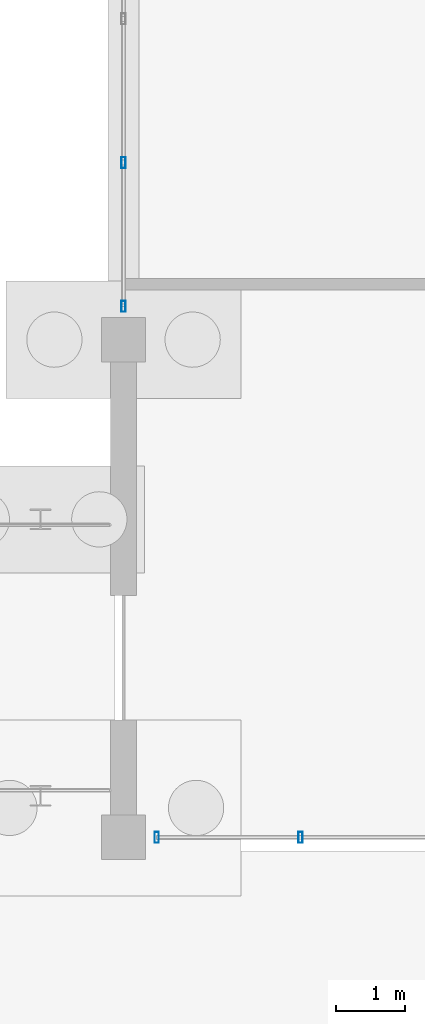
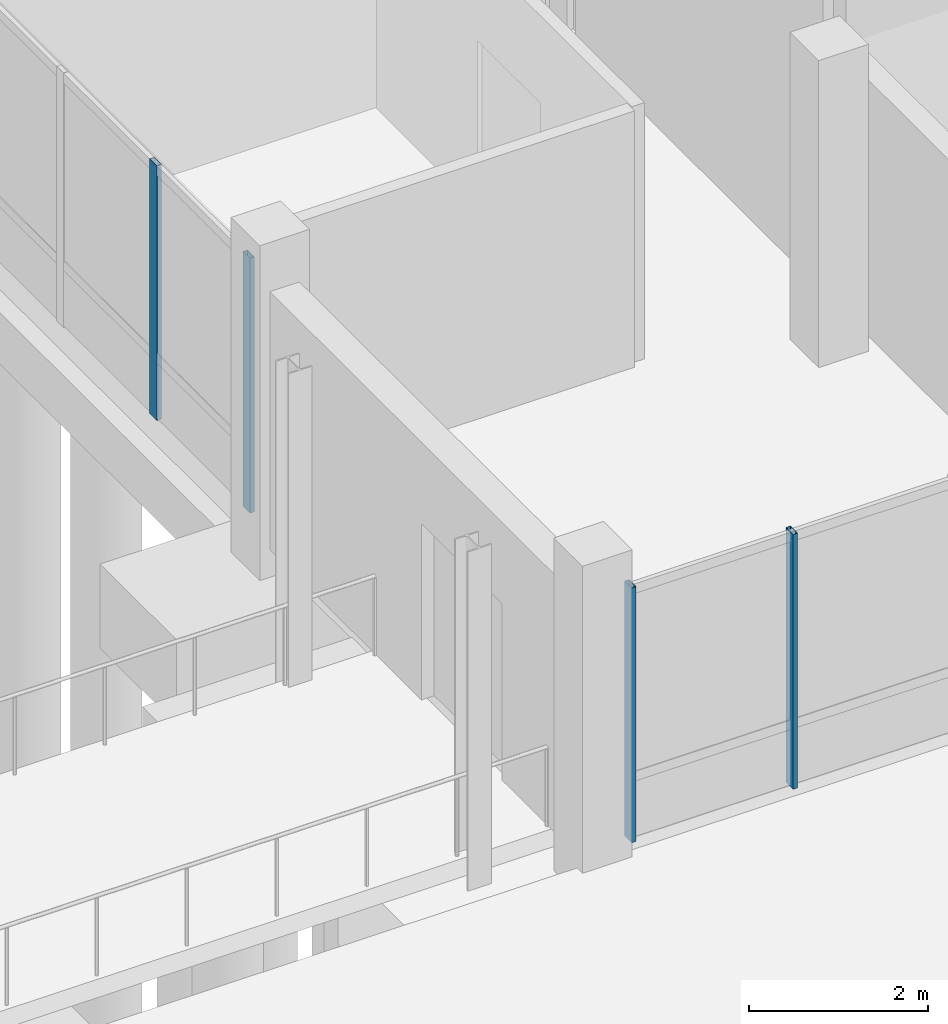
# One storey, part 50 of 98: 4 members, 2 elements without a shape of their own.
"""IFC4 building model written with IfcOpenShell, lengths in metres."""

from ifc_helpers import new_model, si_unit, direction, frame, origin, origin_2d, place, context, subcontext, project, spatial, hollow_rectangle, extrude, material, material_profile, profile_set, type_object, element, aggregate, save


model = new_model("IFC4")

# Units and contexts
model_context = context("Model", 3, precision=1e-05, world=origin(), true_north=direction((0.0, 1.0)))
body_context = subcontext(model_context, "Body", "Model", "MODEL_VIEW")
ifc_project = project(units=[si_unit("LENGTHUNIT", "METRE"), si_unit("AREAUNIT", "SQUARE_METRE"), si_unit("VOLUMEUNIT", "CUBIC_METRE"), si_unit("PLANEANGLEUNIT", "RADIAN"), si_unit("MASSUNIT", "GRAM", prefix="KILO")], contexts=[model_context])

# Site, building, storey
site_placement = place(None, origin())
site = spatial("IfcSite", under=ifc_project, at=site_placement, CompositionType="ELEMENT")
building_placement = place(site_placement, origin())
building = spatial("IfcBuilding", under=site, at=building_placement, Name="Zornivar Specialist Clinic", CompositionType="ELEMENT")
storey_placement = place(building_placement, origin())
storey = spatial("IfcBuildingStorey", under=building, at=storey_placement, Name="L00", CompositionType="ELEMENT", Elevation=0.0)

# Curtain wall, members
ifc_material_1 = material(Name="Aluminium and Low-E Glass Curtain Wall", Category="aluminium")
curtain_wall_type = type_object("IfcCurtainWallType", Name="CW-LAB-NORTH", PredefinedType="NOTDEFINED", material=ifc_material_1)
curtain_wall_1_placement = place(storey_placement, origin())
curtain_wall_1 = element("IfcCurtainWall", 1, at=curtain_wall_1_placement, inside=storey, type_object=curtain_wall_type, Name="cw:V6:L00:00", PredefinedType="NOTDEFINED")
ifc_material_2 = material(Name="Aluminium AW-6060", Category="aluminium")
ifc_material_profile = material_profile(ifc_material_2, hollow_rectangle(XDim=0.06005859375, YDim=0.159912109375, WallThickness=0.00390625, at=origin_2d()), Name="ALU 60x160x4")
ifc_profile_set = profile_set([ifc_material_profile], Name="Aluminium AW-6060")
member_type = type_object("IfcMemberType", Name="CWM-MUL-160", PredefinedType="MULLION", material=ifc_profile_set)
member_1_placement = place(storey_placement, frame((137.280029296875, 64.800048828125, 0.0), z_axis=(0.0, 0.0, 1.0), x_axis=(1.0, 0.0, 0.0)))
member_1 = element("IfcMember", 2, at=member_1_placement, type_object=member_type, Name="cw:V6:L00:00:mul:0", PredefinedType="MULLION", context=body_context, shape_type="SweptSolid", body=[
    extrude(hollow_rectangle(XDim=0.06005859375, YDim=0.159912109375, WallThickness=0.00390625, at=origin_2d()), origin(), (0.0, 0.0, 1.0), 3.469970703125),
])
member_2_placement = place(storey_placement, frame((139.360107421875, 64.800048828125, 0.0), z_axis=(0.0, 0.0, 1.0), x_axis=(1.0, 0.0, 0.0)))
member_2 = element("IfcMember", 3, at=member_2_placement, type_object=member_type, Name="cw:V6:L00:00:mul:1", PredefinedType="MULLION", context=body_context, shape_type="SweptSolid", body=[
    extrude(hollow_rectangle(XDim=0.06005859375, YDim=0.159912109375, WallThickness=0.00390625, at=origin_2d()), origin(), (0.0, 0.0, 1.0), 3.469970703125),
])
aggregate(curtain_wall_1, [member_1, member_2])

curtain_wall_2_placement = place(storey_placement, origin())
curtain_wall_2 = element("IfcCurtainWall", 4, at=curtain_wall_2_placement, inside=storey, type_object=curtain_wall_type, Name="cw:V6:L00:20", PredefinedType="NOTDEFINED")
member_3_placement = place(storey_placement, frame((136.800048828125, 74.56005859375, 0.0), z_axis=(0.0, 0.0, 1.0), x_axis=(1.0, 0.0, 0.0)))
member_3 = element("IfcMember", 5, at=member_3_placement, type_object=member_type, Name="cw:V6:L00:20:mul:2", PredefinedType="MULLION", context=body_context, shape_type="SweptSolid", body=[
    extrude(hollow_rectangle(XDim=0.06005859375, YDim=0.159912109375, WallThickness=0.00390625, at=origin_2d()), origin(), (0.0, 0.0, 1.0), 3.469970703125),
])
member_4_placement = place(storey_placement, frame((136.800048828125, 72.47998046875, 0.0), z_axis=(0.0, 0.0, 1.0), x_axis=(1.0, 0.0, 0.0)))
member_4 = element("IfcMember", 6, at=member_4_placement, type_object=member_type, Name="cw:V6:L00:20:mul:3", PredefinedType="MULLION", context=body_context, shape_type="SweptSolid", body=[
    extrude(hollow_rectangle(XDim=0.06005859375, YDim=0.159912109375, WallThickness=0.00390625, at=origin_2d()), origin(), (0.0, 0.0, 1.0), 3.469970703125),
])
aggregate(curtain_wall_2, [member_3, member_4])

save(model, "model.ifc")
